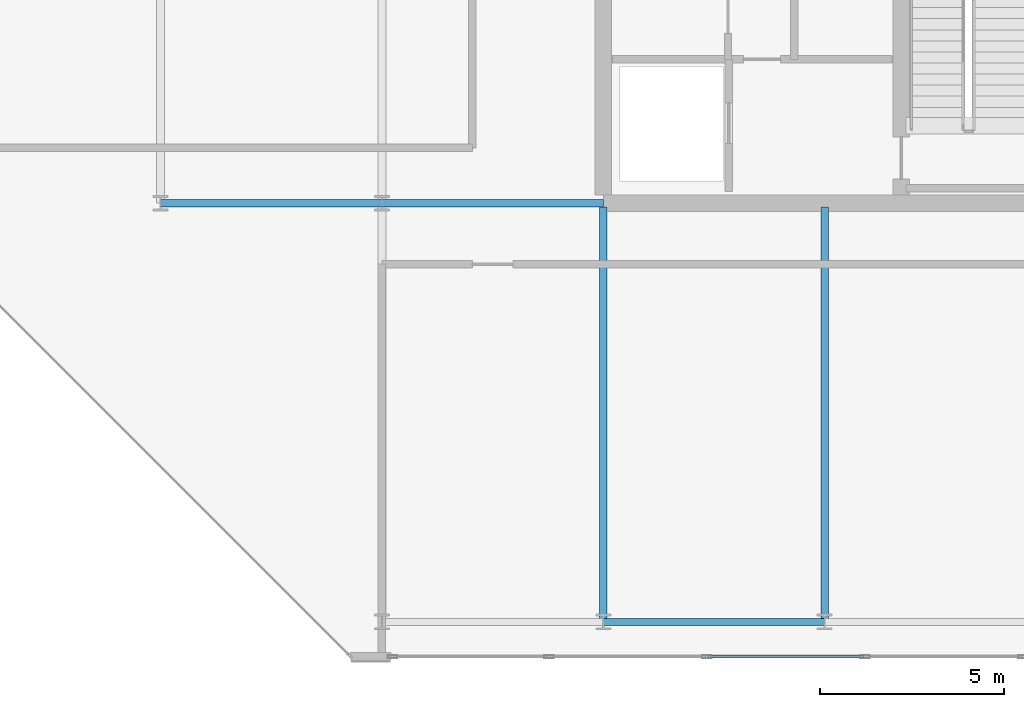
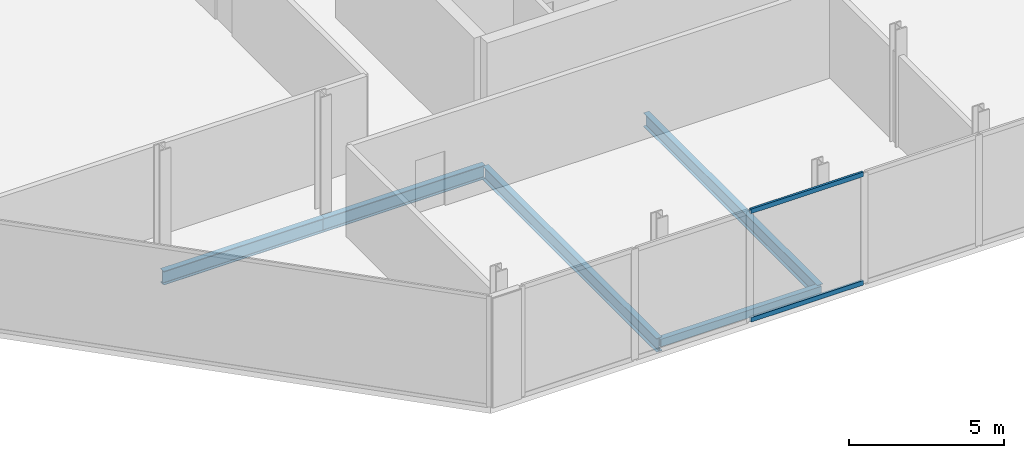
# One storey, part 3 of 16: 5 beams, 2 members, 1 element without a shape of its own.
"""IFC4 building model written with IfcOpenShell, lengths in metres."""

from ifc_helpers import new_model, si_unit, direction, frame, origin, origin_2d, place, context, subcontext, project, spatial, hollow_rectangle, i_section, extrude, material, layer, layer_set, material_profile, profile_set, type_object, element, aggregate, save


model = new_model("IFC4")

# Units and contexts
model_context = context("Model", 3, precision=1e-05, world=origin(), true_north=direction((0.0, 1.0)))
body_context = subcontext(model_context, "Body", "Model", "MODEL_VIEW")
ifc_project = project(units=[si_unit("LENGTHUNIT", "METRE"), si_unit("AREAUNIT", "SQUARE_METRE"), si_unit("VOLUMEUNIT", "CUBIC_METRE"), si_unit("PLANEANGLEUNIT", "RADIAN"), si_unit("MASSUNIT", "GRAM", prefix="KILO")], contexts=[model_context])

# Site, building, storey
site_placement = place(None, origin())
site = spatial("IfcSite", under=ifc_project, at=site_placement, CompositionType="ELEMENT")
building_placement = place(site_placement, origin())
building = spatial("IfcBuilding", under=site, at=building_placement, Name="Tanjung Sevakor Pilgrim Tower", CompositionType="ELEMENT")
storey_placement = place(building_placement, frame((0.0, 0.0, 283.139892578125)))
storey = spatial("IfcBuildingStorey", under=building, at=storey_placement, Name="L79", CompositionType="ELEMENT", Elevation=283.139892578125)

# Beams
ifc_material_1 = material(Name="Steel S355J2", Category="steel")
ifc_material_profile_1 = material_profile(ifc_material_1, i_section(OverallWidth=0.2119140625, OverallDepth=0.54443359375, WebThickness=0.0126953125, FlangeThickness=0.021240234375, FilletRadius=0.0126953125, at=origin_2d()))
ifc_profile_set_1 = profile_set([ifc_material_profile_1], Name="Steel S355J2")
beam_type_1 = type_object("IfcBeamType", Name="BM-B-G5-UB_533x210x122", PredefinedType="BEAM", material=ifc_profile_set_1)
for number, where, z_axis, x_axis, name in (
    (1, (66.0, 24.60009765625, -0.531982421875), (1.0, 0.0, 0.0), (0.0, 1.0, 0.0), "L79 Primary Floor Girder EAST Y246-01"),
    (2, (72.0, 24.60009765625, -0.531982421875), (1.0, 0.0, 0.0), (0.0, 1.0, 0.0), "L79 Primary Floor Girder EAST Y246-02"),
):
    element("IfcBeam", number, at=place(storey_placement, frame(where, z_axis=z_axis, x_axis=x_axis)), inside=storey, type_object=beam_type_1, Name=name, PredefinedType="BEAM", context=body_context, shape_type="SweptSolid", body=[
        extrude(i_section(OverallWidth=0.2119140625, OverallDepth=0.54443359375, WebThickness=0.0126953125, FlangeThickness=0.021240234375, FilletRadius=0.0126953125, at=origin_2d()), origin(), (0.0, 0.0, 1.0), 6.0),
    ])
ifc_material_2 = material(Name="Steel S355J2", Category="steel")
ifc_material_profile_2 = material_profile(ifc_material_2, i_section(OverallWidth=0.210693359375, OverallDepth=0.53955078125, WebThickness=0.01171875, FlangeThickness=0.018798828125, FilletRadius=0.0126953125, at=origin_2d()))
ifc_profile_set_2 = profile_set([ifc_material_profile_2], Name="Steel S355J2")
beam_type_2 = type_object("IfcBeamType", Name="BM-B-G6-UB_533x210x109", PredefinedType="BEAM", material=ifc_profile_set_2)
for number, where, z_axis, x_axis, name in (
    (3, (78.0, 13.25, -0.529541015625), (0.0, 1.0, 0.0), (-1.0, 0.0, 0.0), "L79 EAST Girder 005"),
    (4, (84.0, 13.25, -0.529541015625), (0.0, 1.0, 0.0), (-1.0, 0.0, 0.0), "L79 EAST Girder 007"),
):
    element("IfcBeam", number, at=place(storey_placement, frame(where, z_axis=z_axis, x_axis=x_axis)), inside=storey, type_object=beam_type_2, Name=name, PredefinedType="BEAM", context=body_context, shape_type="SweptSolid", body=[
        extrude(i_section(OverallWidth=0.210693359375, OverallDepth=0.53955078125, WebThickness=0.01171875, FlangeThickness=0.018798828125, FilletRadius=0.0126953125, at=origin_2d()), origin(), (0.0, 0.0, 1.0), 11.243896484375),
    ])
ifc_material_3 = material(Name="Steel S355J2", Category="steel")
ifc_material_profile_3 = material_profile(ifc_material_3, hollow_rectangle(XDim=0.199951171875, YDim=0.300048828125, WallThickness=0.012451171875, at=origin_2d()))
ifc_profile_set_3 = profile_set([ifc_material_profile_3], Name="Steel S355J2")
beam_type_3 = type_object("IfcBeamType", Name="BM-B-SP3-RHS_300x200x12.5", PredefinedType="SPANDREL", material=ifc_profile_set_3)
beam_placement = place(storey_placement, frame((78.0, 13.25, -0.409912109375), z_axis=(1.0, 0.0, 0.0), x_axis=(0.0, 1.0, 0.0)))
element("IfcBeam", 5, at=beam_placement, inside=storey, type_object=beam_type_3, Name="L79 Spandrel EAST S-03", PredefinedType="SPANDREL", context=body_context, shape_type="SweptSolid", body=[
    extrude(hollow_rectangle(XDim=0.199951171875, YDim=0.300048828125, WallThickness=0.012451171875, at=origin_2d()), origin(), (0.0, 0.0, 1.0), 6.0),
])

# Curtain wall, members
ifc_material_4 = material(Name="Aluminium 6063-T6 and Low-E Glass", Category="aluminium")
ifc_layer = layer(ifc_material_4, 0.219970703125)
ifc_layer_set = layer_set([ifc_layer], Name="CW-SYS-CRNE")
curtain_wall_type = type_object("IfcCurtainWallType", Name="CW-SYS-CRNE", PredefinedType="NOTDEFINED", material=ifc_layer_set)
curtain_wall_placement = place(storey_placement, origin())
curtain_wall = element("IfcCurtainWall", 6, at=curtain_wall_placement, inside=storey, type_object=curtain_wall_type, Name="L79 Curtain Wall CW-CRN-L79-EAST-0-1", PredefinedType="NOTDEFINED")
ifc_material_5 = material(Name="Aluminium 6063-T6", Category="aluminium")
ifc_material_profile_4 = material_profile(ifc_material_5, hollow_rectangle(XDim=0.080078125, YDim=0.179931640625, WallThickness=0.0048828125, at=origin_2d()))
ifc_profile_set_4 = profile_set([ifc_material_profile_4], Name="Aluminium 6063-T6")
member_type = type_object("IfcMemberType", Name="TYPE-CWT-3", PredefinedType="USERDEFINED", material=ifc_profile_set_4)
member_1_placement = place(storey_placement, frame((80.84912109375, 12.31005859375, 0.0400390625), z_axis=(1.0, 0.0, 0.0), x_axis=(0.0, 1.0, 0.0)))
member_1 = element("IfcMember", 7, at=member_1_placement, type_object=member_type, Name="CW-CRE transom 3.1", ObjectType="TRANSOM", PredefinedType="USERDEFINED", context=body_context, shape_type="SweptSolid", body=[
    extrude(hollow_rectangle(XDim=0.080078125, YDim=0.179931640625, WallThickness=0.0048828125, at=origin_2d()), origin(), (0.0, 0.0, 1.0), 4.20166015625),
])
member_2_placement = place(storey_placement, frame((80.84912109375, 12.31005859375, 4.320068359375), z_axis=(1.0, 0.0, 0.0), x_axis=(0.0, 1.0, 0.0)))
member_2 = element("IfcMember", 8, at=member_2_placement, type_object=member_type, Name="CW-CRE transom 3.2", ObjectType="TRANSOM", PredefinedType="USERDEFINED", context=body_context, shape_type="SweptSolid", body=[
    extrude(hollow_rectangle(XDim=0.080078125, YDim=0.179931640625, WallThickness=0.0048828125, at=origin_2d()), origin(), (0.0, 0.0, 1.0), 4.20166015625),
])
aggregate(curtain_wall, [member_1, member_2])

save(model, "model.ifc")
